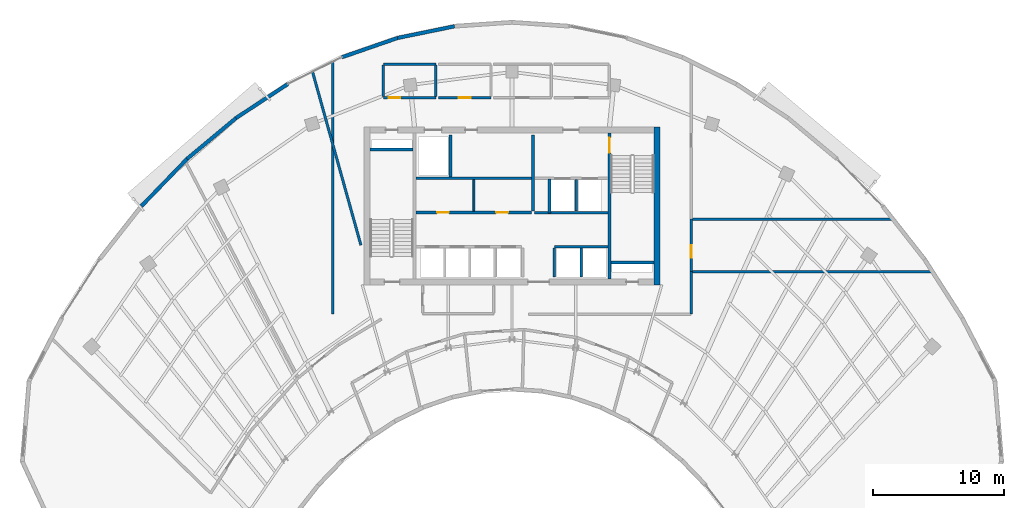
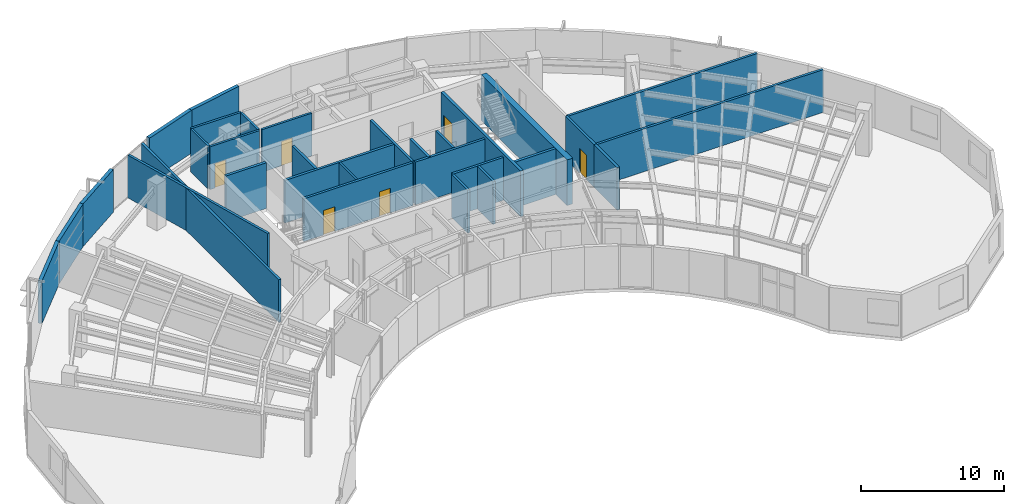
# One storey, part 10 of 14: 31 walls, 6 doors, 6 openings.
"""IFC4 building model written with IfcOpenShell, lengths in metres."""

from ifc_helpers import new_model, si_unit, direction, frame, frame_2d, origin, place, context, subcontext, project, spatial, rectangle, extrude, source, transform, mapped, material, layer, layer_set, type_object, type_shapes, element, fill, save


model = new_model("IFC4")

# Units and contexts
model_context = context("Model", 3, precision=1e-05, world=origin(), true_north=direction((0.0, 1.0)))
body_context = subcontext(model_context, "Body", "Model", "MODEL_VIEW")
ifc_project = project(units=[si_unit("LENGTHUNIT", "METRE"), si_unit("AREAUNIT", "SQUARE_METRE"), si_unit("VOLUMEUNIT", "CUBIC_METRE"), si_unit("PLANEANGLEUNIT", "RADIAN"), si_unit("MASSUNIT", "GRAM", prefix="KILO")], contexts=[model_context])

# Site, building, storey
site_placement = place(None, origin())
site = spatial("IfcSite", under=ifc_project, at=site_placement, CompositionType="ELEMENT")
building_placement = place(site_placement, origin())
building = spatial("IfcBuilding", under=site, at=building_placement, Name="Breltana Convention Tower", CompositionType="ELEMENT")
storey_placement = place(building_placement, frame((0.0, 0.0, 219.60009765625)))
storey = spatial("IfcBuildingStorey", under=building, at=storey_placement, Name="L53", CompositionType="ELEMENT", Elevation=219.60009765625)

# Walls
ifc_material_1 = material(Name="Concrete C50/60", Category="concrete")
ifc_layer_1 = layer(ifc_material_1, 0.39990234375, Name="Concrete C50/60")
ifc_layer_set_1 = layer_set([ifc_layer_1], Name="Concrete C50/60")
wall_type_1 = type_object("IfcWallType", Name="SW-CORE-400", PredefinedType="SHEAR", material=ifc_layer_set_1)
shared_shape_1 = source(origin(), body_context, "Body", "SweptSolid", [
    extrude(rectangle(XDim=3.27001953125, YDim=0.219970703125, at=frame_2d((1.635009765625, 0.0))), origin(), (0.0, 0.0, 1.0), 3.89990234375),
])
for number, where, z_axis, x_axis, name in (
    (1, (37.199951171875, 70.510009765625, 0.0), (0.0, 0.0, 1.0), (1.0, 0.0, 0.0), "L53 ST-1 Stairwell North Bearing Wall"),
    (2, (55.530029296875, 61.889892578125, 0.0), (0.0, 0.0, 1.0), (1.0, 0.0, 0.0), "L53 ST-2 Stairwell South Bearing Wall"),
):
    element("IfcWall", number, at=place(storey_placement, frame(where, z_axis=z_axis, x_axis=x_axis)), inside=storey, type_object=wall_type_1, Name=name, PredefinedType="SHEAR", context=body_context, shape_type="MappedRepresentation", body=[
        mapped(shared_shape_1, transform((0.0, 0.0, 0.0), scale=1.0)),
    ])
ifc_material_2 = material(Name="Concrete C60/75", Category="concrete")
ifc_layer_2 = layer(ifc_material_2, 0.449951171875, Name="Concrete C60/75")
ifc_layer_set_2 = layer_set([ifc_layer_2], Name="Concrete C60/75")
wall_type_2 = type_object("IfcWallType", Name="SW-CORE-450", PredefinedType="SHEAR", material=ifc_layer_set_2)
shared_shape_2 = source(origin(), body_context, "Body", "SweptSolid", [
    extrude(rectangle(XDim=12.0, YDim=0.449951171875, at=frame_2d((6.0, 0.0))), origin(), (0.0, 0.0, 1.0), 3.89990234375),
])
wall_1_placement = place(storey_placement, frame((59.02490234375, 60.199951171875, 0.0), z_axis=(0.0, 0.0, 1.0), x_axis=(0.0, 1.0, 0.0)))
element("IfcWall", 3, at=wall_1_placement, inside=storey, type_object=wall_type_2, Name="L53 East Core Shear Wall", PredefinedType="SHEAR", context=body_context, shape_type="MappedRepresentation", body=[
    mapped(shared_shape_2, transform((0.0, 0.0, 0.0), scale=1.0)),
])

# Wall, opening, door
shared_shape_3 = source(origin(), body_context, "Body", "SweptSolid", [
    extrude(rectangle(XDim=11.10009765625, YDim=0.219970703125, at=frame_2d((5.550048828125, 0.0))), origin(), (0.0, 0.0, 1.0), 3.89990234375),
])
wall_2_placement = place(storey_placement, frame((55.419921875, 60.64990234375, 0.0), z_axis=(0.0, 0.0, 1.0), x_axis=(0.0, 1.0, 0.0)))
wall_2 = element("IfcWall", 4, at=wall_2_placement, inside=storey, type_object=wall_type_1, Name="L53 Core East Stair Spine Wall", PredefinedType="SHEAR", context=body_context, shape_type="MappedRepresentation", body=[
    mapped(shared_shape_3, transform((0.0, 0.0, 0.0), scale=1.0)),
])
opening_1_placement = place(wall_2_placement, frame((9.594970703125, 0.0, 0.0)))
opening_1 = element("IfcOpeningElement", 5, at=opening_1_placement, cuts=wall_2, Name="Opening D-11", PredefinedType="OPENING", context=body_context, shape_type="SweptSolid", body=[
    extrude(rectangle(XDim=1.14990234375, YDim=2.14990234375, at=frame_2d((0.574951171875, 1.074951171875))), frame((0.0, 0.1201171875, 0.0), z_axis=(0.0, -1.0, 0.0), x_axis=(1.0, 0.0, 0.0)), (0.0, 0.0, 1.0), 0.239990234375),
])
ifc_material_3 = material(Name="Steel Stair Exit Door", Category="steel")
door_type_1 = type_object("IfcDoorType", Name="DR-FD120-1150", OperationType="NOTDEFINED", PredefinedType="DOOR", material=ifc_material_3)
shared_shape_4 = source(origin(), body_context, "Body", "SweptSolid", [
    extrude(rectangle(XDim=1.14990234375, YDim=2.14990234375, at=frame_2d((0.574951171875, 1.074951171875))), frame((0.0, 0.02490234375, 0.0), z_axis=(0.0, -1.0, 0.0), x_axis=(1.0, 0.0, 0.0)), (0.0, 0.0, 1.0), 0.050048828125),
])
type_shapes(door_type_1, [shared_shape_4])
door_1_placement = place(opening_1_placement, origin())
door_1 = element("IfcDoor", 6, at=door_1_placement, inside=storey, type_object=door_type_1, Name="L53 interior door D-L53-ST2", OperationType="SINGLE_SWING_LEFT", OverallHeight=2.14990234375, OverallWidth=1.14990234375, PredefinedType="DOOR", context=body_context, shape_type="MappedRepresentation", body=[
    mapped(shared_shape_4, transform((0.0, 0.0, 0.0), scale=1.0)),
])
fill(opening_1, door_1)

# Walls
ifc_material_4 = material(Name="Limestone Buff Insulated Wall", Category="masonry")
ifc_layer_3 = layer(ifc_material_4, 0.280029296875, Name="Limestone Buff Insulated Wall")
ifc_layer_set_3 = layer_set([ifc_layer_3], Name="Limestone Buff Insulated Wall")
wall_type_3 = type_object("IfcWallType", Name="WL-EXT-NOSE-280", PredefinedType="SOLIDWALL", material=ifc_layer_set_3)
shared_shape_5 = source(origin(), body_context, "Body", "SweptSolid", [
    extrude(rectangle(XDim=4.851806640625, YDim=0.280029296875, at=frame_2d((2.42578125, 0.0))), origin(), (0.0, 0.0, 1.0), 3.639892578125),
])
wall_3_placement = place(storey_placement, frame((23.26806640625, 69.787841796875, 0.0), z_axis=(0.0, 0.0, 1.0), x_axis=(0.767936605821, 0.640525853843, 0.0)))
element("IfcWall", 7, at=wall_3_placement, inside=storey, type_object=wall_type_3, Name="L53 curved limestone nose wall E22", PredefinedType="SOLIDWALL", context=body_context, shape_type="MappedRepresentation", body=[
    mapped(shared_shape_5, transform((0.0, 0.0, 0.0), scale=1.0)),
])
shared_shape_6 = source(origin(), body_context, "Body", "SweptSolid", [
    extrude(rectangle(XDim=4.712646484375, YDim=0.280029296875, at=frame_2d((2.3564453125, 0.0))), origin(), (0.0, 0.0, 1.0), 3.639892578125),
])
wall_4_placement = place(storey_placement, frame((26.993896484375, 72.8955078125, 0.0), z_axis=(0.0, 0.0, 1.0), x_axis=(0.835974386457, 0.548768462275, 0.0)))
element("IfcWall", 8, at=wall_4_placement, inside=storey, type_object=wall_type_3, Name="L53 curved limestone nose wall E23", PredefinedType="SOLIDWALL", context=body_context, shape_type="MappedRepresentation", body=[
    mapped(shared_shape_6, transform((0.0, 0.0, 0.0), scale=1.0)),
])
shared_shape_7 = source(origin(), body_context, "Body", "SweptSolid", [
    extrude(rectangle(XDim=4.4921875, YDim=0.280029296875, at=frame_2d((2.24609375, 0.0))), origin(), (0.0, 0.0, 1.0), 3.639892578125),
])
wall_5_placement = place(storey_placement, frame((35.04638671875, 77.520263671875, 0.0), z_axis=(0.0, 0.0, 1.0), x_axis=(0.944872297412, 0.32743906545, 0.0)))
element("IfcWall", 9, at=wall_5_placement, inside=storey, type_object=wall_type_3, Name="L53 curved limestone nose wall E24", PredefinedType="SOLIDWALL", context=body_context, shape_type="MappedRepresentation", body=[
    mapped(shared_shape_7, transform((0.0, 0.0, 0.0), scale=1.0)),
])
shared_shape_8 = source(origin(), body_context, "Body", "SweptSolid", [
    extrude(rectangle(XDim=4.42236328125, YDim=0.280029296875, at=frame_2d((2.211181640625, 0.0))), origin(), (0.0, 0.0, 1.0), 3.639892578125),
])
wall_6_placement = place(storey_placement, frame((39.291015625, 78.9912109375, 0.0), z_axis=(0.0, 0.0, 1.0), x_axis=(0.979624428875, 0.200838189476, 0.0)))
element("IfcWall", 10, at=wall_6_placement, inside=storey, type_object=wall_type_3, Name="L53 curved limestone nose wall E25", PredefinedType="SOLIDWALL", context=body_context, shape_type="MappedRepresentation", body=[
    mapped(shared_shape_8, transform((0.0, 0.0, 0.0), scale=1.0)),
])
shared_shape_9 = source(origin(), body_context, "Body", "SweptSolid", [
    extrude(rectangle(XDim=5.000732421875, YDim=0.280029296875, at=frame_2d((2.50048828125, 0.0))), origin(), (0.0, 0.0, 1.0), 3.639892578125),
])
wall_7_placement = place(storey_placement, frame((19.794677734375, 66.190185546875, 0.0), z_axis=(0.0, 0.0, 1.0), x_axis=(0.694572731818, 0.719422490762, 0.0)))
element("IfcWall", 11, at=wall_7_placement, inside=storey, type_object=wall_type_3, Name="L53 curved limestone nose wall E21", PredefinedType="SOLIDWALL", context=body_context, shape_type="MappedRepresentation", body=[
    mapped(shared_shape_9, transform((0.0, 0.0, 0.0), scale=1.0)),
])
ifc_material_5 = material(Name="Autoclaved Aerated Concrete Block", Category="concrete")
ifc_layer_4 = layer(ifc_material_5, 0.199951171875, Name="Autoclaved Aerated Concrete Block")
ifc_layer_set_4 = layer_set([ifc_layer_4], Name="Autoclaved Aerated Concrete Block")
wall_type_4 = type_object("IfcWallType", Name="WL-SHAFT-200", PredefinedType="SOLIDWALL", material=ifc_layer_set_4)
shared_shape_10 = source(origin(), body_context, "Body", "SweptSolid", [
    extrude(rectangle(XDim=2.239990234375, YDim=0.199951171875, at=frame_2d((1.1201171875, 0.0))), origin(), (0.0, 0.0, 1.0), 3.639892578125),
])
wall_8_placement = place(storey_placement, frame((51.219970703125, 60.780029296875, 0.0), z_axis=(0.0, 0.0, 1.0), x_axis=(0.0, 1.0, 0.0)))
element("IfcWall", 12, at=wall_8_placement, inside=storey, type_object=wall_type_4, Name="L53 interior partition W-L53-PORT-E", PredefinedType="SOLIDWALL", context=body_context, shape_type="MappedRepresentation", body=[
    mapped(shared_shape_10, transform((0.0, 0.0, 0.0), scale=1.0)),
])
shared_shape_11 = source(origin(), body_context, "Body", "SweptSolid", [
    extrude(rectangle(XDim=5.6201171875, YDim=0.199951171875, at=frame_2d((2.81005859375, 0.0))), origin(), (0.0, 0.0, 1.0), 3.639892578125),
])
wall_9_placement = place(storey_placement, frame((49.699951171875, 65.679931640625, 0.0), z_axis=(0.0, 0.0, 1.0), x_axis=(1.0, 0.0, 0.0)))
element("IfcWall", 13, at=wall_9_placement, inside=storey, type_object=wall_type_4, Name="L53 interior partition W-L53-FL-S", PredefinedType="SOLIDWALL", context=body_context, shape_type="MappedRepresentation", body=[
    mapped(shared_shape_11, transform((0.0, 0.0, 0.0), scale=1.0)),
])
shared_shape_12 = source(origin(), body_context, "Body", "SweptSolid", [
    extrude(rectangle(XDim=5.800048828125, YDim=0.199951171875, at=frame_2d((2.89990234375, 0.0))), origin(), (0.0, 0.0, 1.0), 3.639892578125),
])
wall_10_placement = place(storey_placement, frame((49.60009765625, 65.800048828125, 0.0), z_axis=(0.0, 0.0, 1.0), x_axis=(0.0, 1.0, 0.0)))
element("IfcWall", 14, at=wall_10_placement, inside=storey, type_object=wall_type_4, Name="L53 interior partition W-L53-FFL-W", PredefinedType="SOLIDWALL", context=body_context, shape_type="MappedRepresentation", body=[
    mapped(shared_shape_12, transform((0.0, 0.0, 0.0), scale=1.0)),
])
shared_shape_13 = source(origin(), body_context, "Body", "SweptSolid", [
    extrude(rectangle(XDim=2.580078125, YDim=0.199951171875, at=frame_2d((1.2900390625, 0.0))), origin(), (0.0, 0.0, 1.0), 3.639892578125),
])
wall_11_placement = place(storey_placement, frame((50.85009765625, 65.679931640625, 0.0), z_axis=(0.0, 0.0, 1.0), x_axis=(0.0, 1.0, 0.0)))
element("IfcWall", 15, at=wall_11_placement, inside=storey, type_object=wall_type_4, Name="L53 interior partition W-L53-FL-W", PredefinedType="SOLIDWALL", context=body_context, shape_type="MappedRepresentation", body=[
    mapped(shared_shape_13, transform((0.0, 0.0, 0.0), scale=1.0)),
])
shared_shape_14 = source(origin(), body_context, "Body", "SweptSolid", [
    extrude(rectangle(XDim=2.39990234375, YDim=0.199951171875, at=frame_2d((1.199951171875, 0.0))), origin(), (0.0, 0.0, 1.0), 3.639892578125),
])
wall_12_placement = place(storey_placement, frame((52.89990234375, 65.800048828125, 0.0), z_axis=(0.0, 0.0, 1.0), x_axis=(0.0, 1.0, 0.0)))
element("IfcWall", 16, at=wall_12_placement, inside=storey, type_object=wall_type_4, Name="L53 interior partition W-L53-FL-DIV", PredefinedType="SOLIDWALL", context=body_context, shape_type="MappedRepresentation", body=[
    mapped(shared_shape_14, transform((0.0, 0.0, 0.0), scale=1.0)),
])
shared_shape_15 = source(origin(), body_context, "Body", "SweptSolid", [
    extrude(rectangle(XDim=3.2001953125, YDim=0.199951171875, at=frame_2d((1.60009765625, 0.0))), origin(), (0.0, 0.0, 1.0), 3.639892578125),
])
wall_13_placement = place(storey_placement, frame((43.320068359375, 68.39990234375, 0.0), z_axis=(0.0, 0.0, 1.0), x_axis=(0.0, 1.0, 0.0)))
element("IfcWall", 17, at=wall_13_placement, inside=storey, type_object=wall_type_4, Name="L53 interior partition W-L53-SV-E", PredefinedType="SOLIDWALL", context=body_context, shape_type="MappedRepresentation", body=[
    mapped(shared_shape_15, transform((0.0, 0.0, 0.0), scale=1.0)),
])
shared_shape_16 = source(origin(), body_context, "Body", "SweptSolid", [
    extrude(rectangle(XDim=8.800048828125, YDim=0.199951171875, at=frame_2d((4.39990234375, 0.0))), origin(), (0.0, 0.0, 1.0), 3.639892578125),
])
wall_14_placement = place(storey_placement, frame((40.699951171875, 68.300048828125, 0.0), z_axis=(0.0, 0.0, 1.0), x_axis=(1.0, 0.0, 0.0)))
element("IfcWall", 18, at=wall_14_placement, inside=storey, type_object=wall_type_4, Name="L53 interior partition W-L53-SV-S", PredefinedType="SOLIDWALL", context=body_context, shape_type="MappedRepresentation", body=[
    mapped(shared_shape_16, transform((0.0, 0.0, 0.0), scale=1.0)),
])

# Wall, openings, doors
wall_15_placement = place(storey_placement, frame((40.699951171875, 65.699951171875, 0.0), z_axis=(0.0, 0.0, 1.0), x_axis=(1.0, 0.0, 0.0)))
wall_15 = element("IfcWall", 19, at=wall_15_placement, inside=storey, type_object=wall_type_4, Name="L53 interior partition W-L53-SH-M-FRONT", PredefinedType="SOLIDWALL", context=body_context, shape_type="MappedRepresentation", body=[
    mapped(shared_shape_16, transform((0.0, 0.0, 0.0), scale=1.0)),
])
opening_2_placement = place(wall_15_placement, frame((1.60009765625, 0.0, 0.0)))
opening_2 = element("IfcOpeningElement", 20, at=opening_2_placement, cuts=wall_15, Name="Opening D-18", PredefinedType="OPENING", context=body_context, shape_type="SweptSolid", body=[
    extrude(rectangle(XDim=0.89990234375, YDim=2.10009765625, at=frame_2d((0.449951171875, 1.050048828125))), frame((0.0, 0.10986328125, 0.0), z_axis=(0.0, -1.0, 0.0), x_axis=(1.0, 0.0, 0.0)), (0.0, 0.0, 1.0), 0.219970703125),
])
opening_3_placement = place(wall_15_placement, frame((6.10009765625, 0.0, 0.0)))
opening_3 = element("IfcOpeningElement", 21, at=opening_3_placement, cuts=wall_15, Name="Opening D-18", PredefinedType="OPENING", context=body_context, shape_type="SweptSolid", body=[
    extrude(rectangle(XDim=0.89990234375, YDim=2.10009765625, at=frame_2d((0.449951171875, 1.050048828125))), frame((0.0, 0.10986328125, 0.0), z_axis=(0.0, -1.0, 0.0), x_axis=(1.0, 0.0, 0.0)), (0.0, 0.0, 1.0), 0.219970703125),
])
ifc_material_6 = material(Name="Steel Riser Fire Door", Category="steel")
door_type_2 = type_object("IfcDoorType", Name="DR-FD60-900", OperationType="NOTDEFINED", PredefinedType="DOOR", material=ifc_material_6)
shared_shape_17 = source(origin(), body_context, "Body", "SweptSolid", [
    extrude(rectangle(XDim=0.89990234375, YDim=2.10009765625, at=frame_2d((0.449951171875, 1.050048828125))), frame((0.0, 0.02490234375, 0.0), z_axis=(0.0, -1.0, 0.0), x_axis=(1.0, 0.0, 0.0)), (0.0, 0.0, 1.0), 0.050048828125),
])
type_shapes(door_type_2, [shared_shape_17])
door_2_placement = place(opening_2_placement, origin())
door_2 = element("IfcDoor", 22, at=door_2_placement, inside=storey, type_object=door_type_2, Name="L53 interior door D-L53-LV7-B2A", OperationType="SINGLE_SWING_RIGHT", OverallHeight=2.10009765625, OverallWidth=0.89990234375, PredefinedType="DOOR", context=body_context, shape_type="MappedRepresentation", body=[
    mapped(shared_shape_17, transform((0.0, 0.0, 0.0), scale=1.0)),
])
fill(opening_2, door_2)
door_3_placement = place(opening_3_placement, origin())
door_3 = element("IfcDoor", 23, at=door_3_placement, inside=storey, type_object=door_type_2, Name="L53 interior door D-L53-LV7-B2B", OperationType="SINGLE_SWING_LEFT", OverallHeight=2.10009765625, OverallWidth=0.89990234375, PredefinedType="DOOR", context=body_context, shape_type="MappedRepresentation", body=[
    mapped(shared_shape_17, transform((0.0, 0.0, 0.0), scale=1.0)),
])
fill(opening_3, door_3)

# Walls
shared_shape_18 = source(origin(), body_context, "Body", "SweptSolid", [
    extrude(rectangle(XDim=4.10009765625, YDim=0.199951171875, at=frame_2d((2.050048828125, 0.0))), origin(), (0.0, 0.0, 1.0), 3.639892578125),
])
wall_16_placement = place(storey_placement, frame((51.219970703125, 63.10009765625, 0.0), z_axis=(0.0, 0.0, 1.0), x_axis=(1.0, 0.0, 0.0)))
element("IfcWall", 24, at=wall_16_placement, inside=storey, type_object=wall_type_4, Name="L53 interior partition W-L53-SH-X-FRONT", PredefinedType="SOLIDWALL", context=body_context, shape_type="MappedRepresentation", body=[
    mapped(shared_shape_18, transform((0.0, 0.0, 0.0), scale=1.0)),
])
shared_shape_19 = source(origin(), body_context, "Body", "SweptSolid", [
    extrude(rectangle(XDim=2.199951171875, YDim=0.199951171875, at=frame_2d((1.10009765625, 0.0))), origin(), (0.0, 0.0, 1.0), 3.639892578125),
])
wall_17_placement = place(storey_placement, frame((53.280029296875, 60.800048828125, 0.0), z_axis=(0.0, 0.0, 1.0), x_axis=(0.0, 1.0, 0.0)))
element("IfcWall", 25, at=wall_17_placement, inside=storey, type_object=wall_type_4, Name="L53 interior partition W-L53-SH-X-DIV", PredefinedType="SOLIDWALL", context=body_context, shape_type="MappedRepresentation", body=[
    mapped(shared_shape_19, transform((0.0, 0.0, 0.0), scale=1.0)),
])

# Wall, opening, door
ifc_material_7 = material(Name="Cement Board Wet-Area Partition")
ifc_layer_5 = layer(ifc_material_7, 0.175048828125, Name="Cement Board Wet-Area Partition")
ifc_layer_set_5 = layer_set([ifc_layer_5], Name="Cement Board Wet-Area Partition")
wall_type_5 = type_object("IfcWallType", Name="WL-WET-175", PredefinedType="PARTITIONING", material=ifc_layer_set_5)
shared_shape_20 = source(origin(), body_context, "Body", "SweptSolid", [
    extrude(rectangle(XDim=4.0, YDim=0.175048828125, at=frame_2d((2.0, 0.0))), origin(), (0.0, 0.0, 1.0), 3.639892578125),
])
wall_18_placement = place(storey_placement, frame((38.199951171875, 74.43994140625, 0.0), z_axis=(0.0, 0.0, 1.0), x_axis=(1.0, 0.0, 0.0)))
wall_18 = element("IfcWall", 26, at=wall_18_placement, inside=storey, type_object=wall_type_5, Name="L53 interior partition W-L53-WCM-S", PredefinedType="PARTITIONING", context=body_context, shape_type="MappedRepresentation", body=[
    mapped(shared_shape_20, transform((0.0, 0.0, 0.0), scale=1.0)),
])
opening_4_placement = place(wall_18_placement, frame((0.39990234375, 0.0, 0.0)))
opening_4 = element("IfcOpeningElement", 27, at=opening_4_placement, cuts=wall_18, Name="Opening D-19", PredefinedType="OPENING", context=body_context, shape_type="SweptSolid", body=[
    extrude(rectangle(XDim=0.89990234375, YDim=2.080078125, at=frame_2d((0.449951171875, 1.0400390625))), frame((0.0, 0.09765625, 0.0), z_axis=(0.0, -1.0, 0.0), x_axis=(1.0, 0.0, 0.0)), (0.0, 0.0, 1.0), 0.195068359375),
])
ifc_material_8 = material(Name="Timber Moisture-Resistant Door", Category="wood")
door_type_3 = type_object("IfcDoorType", Name="DR-WC-900", OperationType="NOTDEFINED", PredefinedType="DOOR", material=ifc_material_8)
shared_shape_21 = source(origin(), body_context, "Body", "SweptSolid", [
    extrude(rectangle(XDim=0.89990234375, YDim=2.080078125, at=frame_2d((0.449951171875, 1.0400390625))), frame((0.0, 0.02490234375, 0.0), z_axis=(0.0, -1.0, 0.0), x_axis=(1.0, 0.0, 0.0)), (0.0, 0.0, 1.0), 0.050048828125),
])
type_shapes(door_type_3, [shared_shape_21])
door_4_placement = place(opening_4_placement, origin())
door_4 = element("IfcDoor", 28, at=door_4_placement, inside=storey, type_object=door_type_3, Name="L53 interior door D-L53-WCM", OperationType="SINGLE_SWING_LEFT", OverallHeight=2.080078125, OverallWidth=0.89990234375, PredefinedType="DOOR", context=body_context, shape_type="MappedRepresentation", body=[
    mapped(shared_shape_21, transform((0.0, 0.0, 0.0), scale=1.0)),
])
fill(opening_4, door_4)

wall_19_placement = place(storey_placement, frame((42.39990234375, 74.43994140625, 0.0), z_axis=(0.0, 0.0, 1.0), x_axis=(1.0, 0.0, 0.0)))
wall_19 = element("IfcWall", 29, at=wall_19_placement, inside=storey, type_object=wall_type_5, Name="L53 interior partition W-L53-WCF-S", PredefinedType="PARTITIONING", context=body_context, shape_type="MappedRepresentation", body=[
    mapped(shared_shape_20, transform((0.0, 0.0, 0.0), scale=1.0)),
])
opening_5_placement = place(wall_19_placement, frame((1.550048828125, 0.0, 0.0)))
opening_5 = element("IfcOpeningElement", 30, at=opening_5_placement, cuts=wall_19, Name="Opening D-19", PredefinedType="OPENING", context=body_context, shape_type="SweptSolid", body=[
    extrude(rectangle(XDim=0.89990234375, YDim=2.080078125, at=frame_2d((0.449951171875, 1.0400390625))), frame((0.0, 0.09765625, 0.0), z_axis=(0.0, -1.0, 0.0), x_axis=(1.0, 0.0, 0.0)), (0.0, 0.0, 1.0), 0.195068359375),
])
door_5_placement = place(opening_5_placement, origin())
door_5 = element("IfcDoor", 31, at=door_5_placement, inside=storey, type_object=door_type_3, Name="L53 interior door D-L53-WCF", OperationType="SINGLE_SWING_RIGHT", OverallHeight=2.080078125, OverallWidth=0.89990234375, PredefinedType="DOOR", context=body_context, shape_type="MappedRepresentation", body=[
    mapped(shared_shape_21, transform((0.0, 0.0, 0.0), scale=1.0)),
])
fill(opening_5, door_5)

# Walls
ifc_material_9 = material(Name="Moisture-Resistant Gypsum Chase Wall")
ifc_layer_6 = layer(ifc_material_9, 0.179931640625, Name="Moisture-Resistant Gypsum Chase Wall")
ifc_layer_set_6 = layer_set([ifc_layer_6], Name="Moisture-Resistant Gypsum Chase Wall")
wall_type_6 = type_object("IfcWallType", Name="WL-PLUMB-180", PredefinedType="PLUMBINGWALL", material=ifc_layer_set_6)
shared_shape_22 = source(origin(), body_context, "Body", "SweptSolid", [
    extrude(rectangle(XDim=4.0, YDim=0.179931640625, at=frame_2d((2.0, 0.0))), origin(), (0.0, 0.0, 1.0), 3.639892578125),
])
wall_20_placement = place(storey_placement, frame((38.199951171875, 77.0, 0.0), z_axis=(0.0, 0.0, 1.0), x_axis=(1.0, 0.0, 0.0)))
element("IfcWall", 32, at=wall_20_placement, inside=storey, type_object=wall_type_6, Name="L53 interior partition W-L53-WCM-N", PredefinedType="PLUMBINGWALL", context=body_context, shape_type="MappedRepresentation", body=[
    mapped(shared_shape_22, transform((0.0, 0.0, 0.0), scale=1.0)),
])
shared_shape_23 = source(origin(), body_context, "Body", "SweptSolid", [
    extrude(rectangle(XDim=2.402587890625, YDim=0.175048828125, at=frame_2d((1.201171875, 0.0))), origin(), (0.0, 0.0, 1.0), 3.639892578125),
])
for number, where, z_axis, x_axis, name in (
    (33, (38.199951171875, 74.518798828125, 0.0), (0.0, 0.0, 1.0), (0.0, 1.0, 0.0), "L53 interior partition W-L53-WCM-W"),
    (34, (42.199951171875, 74.518798828125, 0.0), (0.0, 0.0, 1.0), (0.0, 1.0, 0.0), "L53 interior partition W-L53-WCM-E"),
):
    element("IfcWall", number, at=place(storey_placement, frame(where, z_axis=z_axis, x_axis=x_axis)), inside=storey, type_object=wall_type_5, Name=name, PredefinedType="PARTITIONING", context=body_context, shape_type="MappedRepresentation", body=[
        mapped(shared_shape_23, transform((0.0, 0.0, 0.0), scale=1.0)),
    ])
ifc_material_10 = material(Name="Gypsum Acoustic Drywall Partition")
ifc_layer_7 = layer(ifc_material_10, 0.14990234375, Name="Gypsum Acoustic Drywall Partition")
ifc_layer_set_7 = layer_set([ifc_layer_7], Name="Gypsum Acoustic Drywall Partition")
wall_type_7 = type_object("IfcWallType", Name="WL-PART-150", PredefinedType="PARTITIONING", material=ifc_layer_set_7)
shared_shape_24 = source(origin(), body_context, "Body", "SweptSolid", [
    extrude(rectangle(XDim=2.39990234375, YDim=0.14990234375, at=frame_2d((1.199951171875, 0.0))), origin(), (0.0, 0.0, 1.0), 3.639892578125),
])
wall_21_placement = place(storey_placement, frame((45.10009765625, 65.800048828125, 0.0), z_axis=(0.0, 0.0, 1.0), x_axis=(0.0, 1.0, 0.0)))
element("IfcWall", 35, at=wall_21_placement, inside=storey, type_object=wall_type_7, Name="L53 interior partition W-L53-LV7-B2-DIV", PredefinedType="PARTITIONING", context=body_context, shape_type="MappedRepresentation", body=[
    mapped(shared_shape_24, transform((0.0, 0.0, 0.0), scale=1.0)),
])
ifc_material_11 = material(Name="Gypsum Acoustic Hotel Wall")
ifc_layer_8 = layer(ifc_material_11, 0.195068359375, Name="Gypsum Acoustic Hotel Wall")
ifc_layer_set_8 = layer_set([ifc_layer_8], Name="Gypsum Acoustic Hotel Wall")
wall_type_8 = type_object("IfcWallType", Name="WL-HOTEL-200", PredefinedType="PARTITIONING", material=ifc_layer_set_8)
shared_shape_25 = source(origin(), body_context, "Body", "SweptSolid", [
    extrude(rectangle(XDim=13.693603515625, YDim=0.195068359375, at=frame_2d((6.8466796875, 0.0))), origin(), (0.0, 0.0, 1.0), 3.639892578125),
])
wall_22_placement = place(storey_placement, frame((36.5, 63.2158203125, 0.0), z_axis=(0.0, 0.0, 1.0), x_axis=(-0.268753576604, 0.963208967495, 0.0)))
element("IfcWall", 36, at=wall_22_placement, inside=storey, type_object=wall_type_8, Name="L53 interior partition W-L53-EXWR2-RB", PredefinedType="PARTITIONING", context=body_context, shape_type="MappedRepresentation", body=[
    mapped(shared_shape_25, transform((0.0, 0.0, 0.0), scale=1.0)),
])
shared_shape_26 = source(origin(), body_context, "Body", "SweptSolid", [
    extrude(rectangle(XDim=19.208740234375, YDim=0.195068359375, at=frame_2d((9.6044921875, 0.0))), origin(), (0.0, 0.0, 1.0), 3.639892578125),
])
wall_23_placement = place(storey_placement, frame((34.360107421875, 57.9599609375, 0.0), z_axis=(0.0, 0.0, 1.0), x_axis=(0.0, 1.0, 0.0)))
element("IfcWall", 37, at=wall_23_placement, inside=storey, type_object=wall_type_8, Name="L53 interior partition W-L53-EXWR-CL", PredefinedType="PARTITIONING", context=body_context, shape_type="MappedRepresentation", body=[
    mapped(shared_shape_26, transform((0.0, 0.0, 0.0), scale=1.0)),
])
shared_shape_27 = source(origin(), body_context, "Body", "SweptSolid", [
    extrude(rectangle(XDim=18.34228515625, YDim=0.195068359375, at=frame_2d((9.171142578125, 0.0))), origin(), (0.0, 0.0, 1.0), 3.639892578125),
])
wall_24_placement = place(storey_placement, frame((61.639892578125, 61.199951171875, 0.0), z_axis=(0.0, 0.0, 1.0), x_axis=(1.0, 0.0, 0.0)))
element("IfcWall", 38, at=wall_24_placement, inside=storey, type_object=wall_type_8, Name="L53 interior partition W-L53-EXE1-N", PredefinedType="PARTITIONING", context=body_context, shape_type="MappedRepresentation", body=[
    mapped(shared_shape_27, transform((0.0, 0.0, 0.0), scale=1.0)),
])
shared_shape_28 = source(origin(), body_context, "Body", "SweptSolid", [
    extrude(rectangle(XDim=3.239990234375, YDim=0.195068359375, at=frame_2d((1.6201171875, 0.0))), origin(), (0.0, 0.0, 1.0), 3.639892578125),
])
wall_25_placement = place(storey_placement, frame((61.639892578125, 57.9599609375, 0.0), z_axis=(0.0, 0.0, 1.0), x_axis=(0.0, 1.0, 0.0)))
element("IfcWall", 39, at=wall_25_placement, inside=storey, type_object=wall_type_8, Name="L53 interior partition W-L53-EXE1-ENT", PredefinedType="PARTITIONING", context=body_context, shape_type="MappedRepresentation", body=[
    mapped(shared_shape_28, transform((0.0, 0.0, 0.0), scale=1.0)),
])
shared_shape_29 = source(origin(), body_context, "Body", "SweptSolid", [
    extrude(rectangle(XDim=15.33154296875, YDim=0.195068359375, at=frame_2d((7.665771484375, 0.0))), origin(), (0.0, 0.0, 1.0), 3.639892578125),
])
wall_26_placement = place(storey_placement, frame((61.639892578125, 65.199951171875, 0.0), z_axis=(0.0, 0.0, 1.0), x_axis=(1.0, 0.0, 0.0)))
element("IfcWall", 40, at=wall_26_placement, inside=storey, type_object=wall_type_8, Name="L53 interior partition W-L53-EXE2-N", PredefinedType="PARTITIONING", context=body_context, shape_type="MappedRepresentation", body=[
    mapped(shared_shape_29, transform((0.0, 0.0, 0.0), scale=1.0)),
])

# Wall, opening, door
shared_shape_30 = source(origin(), body_context, "Body", "SweptSolid", [
    extrude(rectangle(XDim=4.0, YDim=0.195068359375, at=frame_2d((2.0, 0.0))), origin(), (0.0, 0.0, 1.0), 3.639892578125),
])
wall_27_placement = place(storey_placement, frame((61.639892578125, 61.199951171875, 0.0), z_axis=(0.0, 0.0, 1.0), x_axis=(0.0, 1.0, 0.0)))
wall_27 = element("IfcWall", 41, at=wall_27_placement, inside=storey, type_object=wall_type_8, Name="L53 interior partition W-L53-EXE2-ENT", PredefinedType="PARTITIONING", context=body_context, shape_type="MappedRepresentation", body=[
    mapped(shared_shape_30, transform((0.0, 0.0, 0.0), scale=1.0)),
])
opening_6_placement = place(wall_27_placement, frame((1.044921875, 0.0, 0.0)))
opening_6 = element("IfcOpeningElement", 42, at=opening_6_placement, cuts=wall_27, Name="Opening D-17", PredefinedType="OPENING", context=body_context, shape_type="SweptSolid", body=[
    extrude(rectangle(XDim=0.949951171875, YDim=2.10009765625, at=frame_2d((0.47509765625, 1.050048828125))), frame((0.0, 0.107421875, 0.0), z_axis=(0.0, -1.0, 0.0), x_axis=(1.0, 0.0, 0.0)), (0.0, 0.0, 1.0), 0.215087890625),
])
ifc_material_12 = material(Name="Timber Oak Veneer Door", Category="wood")
door_type_4 = type_object("IfcDoorType", Name="DR-INT-950", OperationType="NOTDEFINED", PredefinedType="DOOR", material=ifc_material_12)
shared_shape_31 = source(origin(), body_context, "Body", "SweptSolid", [
    extrude(rectangle(XDim=0.949951171875, YDim=2.10009765625, at=frame_2d((0.47509765625, 1.050048828125))), frame((0.0, 0.02490234375, 0.0), z_axis=(0.0, -1.0, 0.0), x_axis=(1.0, 0.0, 0.0)), (0.0, 0.0, 1.0), 0.050048828125),
])
type_shapes(door_type_4, [shared_shape_31])
door_6_placement = place(opening_6_placement, origin())
door_6 = element("IfcDoor", 43, at=door_6_placement, inside=storey, type_object=door_type_4, Name="L53 interior door D-L53-EXE2", OperationType="SINGLE_SWING_LEFT", OverallHeight=2.10009765625, OverallWidth=0.949951171875, PredefinedType="DOOR", context=body_context, shape_type="MappedRepresentation", body=[
    mapped(shared_shape_31, transform((0.0, 0.0, 0.0), scale=1.0)),
])
fill(opening_6, door_6)

save(model, "model.ifc")
